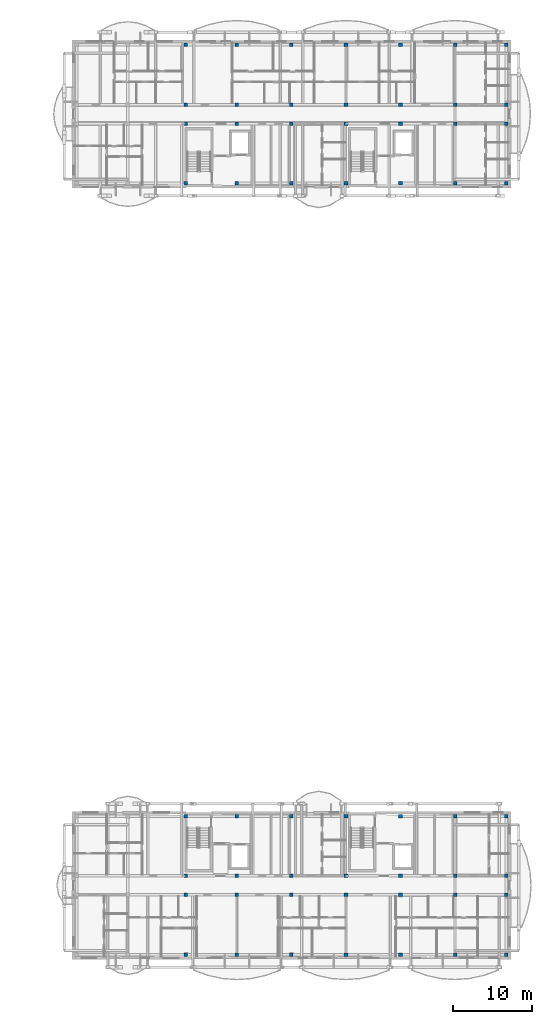
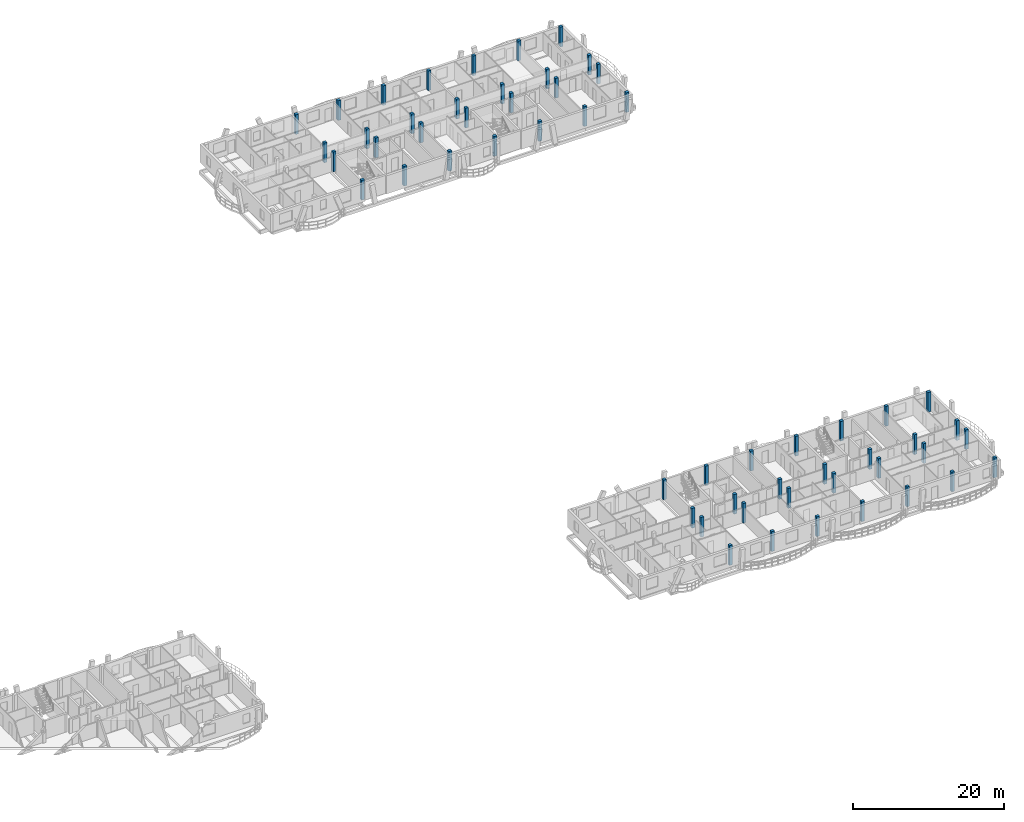
# One storey, part 3 of 52: 56 columns.
"""IFC4 building model written with IfcOpenShell, lengths in metres."""

from ifc_helpers import new_model, si_unit, direction, frame, origin, origin_2d, place, context, subcontext, project, spatial, rectangle, extrude, material, material_profile, profile_set, type_object, element, save


model = new_model("IFC4")

# Units and contexts
model_context = context("Model", 3, precision=1e-05, world=origin(), true_north=direction((0.0, 1.0)))
body_context = subcontext(model_context, "Body", "Model", "MODEL_VIEW")
ifc_project = project(units=[si_unit("LENGTHUNIT", "METRE"), si_unit("AREAUNIT", "SQUARE_METRE"), si_unit("VOLUMEUNIT", "CUBIC_METRE"), si_unit("PLANEANGLEUNIT", "RADIAN"), si_unit("MASSUNIT", "GRAM", prefix="KILO")], contexts=[model_context])

# Site, building, storey
site_placement = place(None, origin())
site = spatial("IfcSite", under=ifc_project, at=site_placement, CompositionType="ELEMENT")
building_placement = place(site_placement, origin())
building = spatial("IfcBuilding", under=site, at=building_placement, Name="Zavelmont Quarter", CompositionType="ELEMENT")
storey_placement = place(building_placement, frame((0.0, 0.0, 14.39990234375)))
storey = spatial("IfcBuildingStorey", under=building, at=storey_placement, Name="L04", CompositionType="ELEMENT", Elevation=14.39990234375)

# Columns
ifc_material = material(Name="Concrete C35/45", Category="concrete")
ifc_material_profile = material_profile(ifc_material, rectangle(XDim=0.449951171875, YDim=0.449951171875, at=origin_2d()), Name="RC450X450")
ifc_profile_set = profile_set([ifc_material_profile], Name="Concrete C35/45")
column_type = type_object("IfcColumnType", Name="CL04", PredefinedType="COLUMN", material=ifc_profile_set)
for number, where, z_axis, x_axis, name in (
    (1, (127.0400390625, 98.0400390625, 0.0), (0.0, 0.0, 1.0), (1.0, 0.0, 0.0), "L04 column CL04 at 19/P"),
    (2, (127.0400390625, 105.60009765625, 0.0), (0.0, 0.0, 1.0), (1.0, 0.0, 0.0), "L04 column CL04 at 19/Q"),
    (3, (127.0400390625, 108.0, 0.0), (0.0, 0.0, 1.0), (1.0, 0.0, 0.0), "L04 column CL04 at 19/R"),
    (4, (127.0400390625, 115.56005859375, 0.0), (0.0, 0.0, 1.0), (1.0, 0.0, 0.0), "L04 column CL04 at 19/S"),
    (5, (133.5, 98.0400390625, 0.0), (0.0, 0.0, 1.0), (1.0, 0.0, 0.0), "L04 column CL04 at 20/P"),
    (6, (133.5, 105.60009765625, 0.0), (0.0, 0.0, 1.0), (1.0, 0.0, 0.0), "L04 column CL04 at 20/Q"),
    (7, (133.5, 108.0, 0.0), (0.0, 0.0, 1.0), (1.0, 0.0, 0.0), "L04 column CL04 at 20/R"),
    (8, (133.5, 115.56005859375, 0.0), (0.0, 0.0, 1.0), (1.0, 0.0, 0.0), "L04 column CL04 at 20/S"),
    (9, (140.39990234375, 98.0400390625, 0.0), (0.0, 0.0, 1.0), (1.0, 0.0, 0.0), "L04 column CL04 at 21/P"),
    (10, (140.39990234375, 105.60009765625, 0.0), (0.0, 0.0, 1.0), (1.0, 0.0, 0.0), "L04 column CL04 at 21/Q"),
    (11, (140.39990234375, 108.0, 0.0), (0.0, 0.0, 1.0), (1.0, 0.0, 0.0), "L04 column CL04 at 21/R"),
    (12, (140.39990234375, 115.56005859375, 0.0), (0.0, 0.0, 1.0), (1.0, 0.0, 0.0), "L04 column CL04 at 21/S"),
    (13, (147.300048828125, 98.0400390625, 0.0), (0.0, 0.0, 1.0), (1.0, 0.0, 0.0), "L04 column CL04 at 22/P"),
    (14, (147.300048828125, 105.60009765625, 0.0), (0.0, 0.0, 1.0), (1.0, 0.0, 0.0), "L04 column CL04 at 22/Q"),
    (15, (147.300048828125, 108.0, 0.0), (0.0, 0.0, 1.0), (1.0, 0.0, 0.0), "L04 column CL04 at 22/R"),
    (16, (147.300048828125, 115.56005859375, 0.0), (0.0, 0.0, 1.0), (1.0, 0.0, 0.0), "L04 column CL04 at 22/S"),
    (17, (154.199951171875, 98.0400390625, 0.0), (0.0, 0.0, 1.0), (1.0, 0.0, 0.0), "L04 column CL04 at 23/P"),
    (18, (154.199951171875, 105.60009765625, 0.0), (0.0, 0.0, 1.0), (1.0, 0.0, 0.0), "L04 column CL04 at 23/Q"),
    (19, (154.199951171875, 108.0, 0.0), (0.0, 0.0, 1.0), (1.0, 0.0, 0.0), "L04 column CL04 at 23/R"),
    (20, (154.199951171875, 115.56005859375, 0.0), (0.0, 0.0, 1.0), (1.0, 0.0, 0.0), "L04 column CL04 at 23/S"),
    (21, (161.10009765625, 98.0400390625, 0.0), (0.0, 0.0, 1.0), (1.0, 0.0, 0.0), "L04 column CL04 at 24/P"),
    (22, (161.10009765625, 105.60009765625, 0.0), (0.0, 0.0, 1.0), (1.0, 0.0, 0.0), "L04 column CL04 at 24/Q"),
    (23, (161.10009765625, 108.0, 0.0), (0.0, 0.0, 1.0), (1.0, 0.0, 0.0), "L04 column CL04 at 24/R"),
    (24, (161.10009765625, 115.56005859375, 0.0), (0.0, 0.0, 1.0), (1.0, 0.0, 0.0), "L04 column CL04 at 24/S"),
    (25, (167.56005859375, 98.0400390625, 0.0), (0.0, 0.0, 1.0), (1.0, 0.0, 0.0), "L04 column CL04 at 25/P"),
    (26, (167.56005859375, 105.60009765625, 0.0), (0.0, 0.0, 1.0), (1.0, 0.0, 0.0), "L04 column CL04 at 25/Q"),
    (27, (167.56005859375, 108.0, 0.0), (0.0, 0.0, 1.0), (1.0, 0.0, 0.0), "L04 column CL04 at 25/R"),
    (28, (167.56005859375, 115.56005859375, 0.0), (0.0, 0.0, 1.0), (1.0, 0.0, 0.0), "L04 column CL04 at 25/S"),
    (29, (127.0400390625, 0.43994140625, 0.0), (0.0, 0.0, 1.0), (1.0, 0.0, 0.0), "L04 column CL04 at 19/A"),
    (30, (127.0400390625, 8.0, 0.0), (0.0, 0.0, 1.0), (1.0, 0.0, 0.0), "L04 column CL04 at 19/B"),
    (31, (127.0400390625, 10.39990234375, 0.0), (0.0, 0.0, 1.0), (1.0, 0.0, 0.0), "L04 column CL04 at 19/C"),
    (32, (127.0400390625, 17.9599609375, 0.0), (0.0, 0.0, 1.0), (1.0, 0.0, 0.0), "L04 column CL04 at 19/D"),
    (33, (133.5, 0.43994140625, 0.0), (0.0, 0.0, 1.0), (1.0, 0.0, 0.0), "L04 column CL04 at 20/A"),
    (34, (133.5, 8.0, 0.0), (0.0, 0.0, 1.0), (1.0, 0.0, 0.0), "L04 column CL04 at 20/B"),
    (35, (133.5, 10.39990234375, 0.0), (0.0, 0.0, 1.0), (1.0, 0.0, 0.0), "L04 column CL04 at 20/C"),
    (36, (133.5, 17.9599609375, 0.0), (0.0, 0.0, 1.0), (1.0, 0.0, 0.0), "L04 column CL04 at 20/D"),
    (37, (140.39990234375, 0.43994140625, 0.0), (0.0, 0.0, 1.0), (1.0, 0.0, 0.0), "L04 column CL04 at 21/A"),
    (38, (140.39990234375, 8.0, 0.0), (0.0, 0.0, 1.0), (1.0, 0.0, 0.0), "L04 column CL04 at 21/B"),
    (39, (140.39990234375, 10.39990234375, 0.0), (0.0, 0.0, 1.0), (1.0, 0.0, 0.0), "L04 column CL04 at 21/C"),
    (40, (140.39990234375, 17.9599609375, 0.0), (0.0, 0.0, 1.0), (1.0, 0.0, 0.0), "L04 column CL04 at 21/D"),
    (41, (147.300048828125, 0.43994140625, 0.0), (0.0, 0.0, 1.0), (1.0, 0.0, 0.0), "L04 column CL04 at 22/A"),
    (42, (147.300048828125, 8.0, 0.0), (0.0, 0.0, 1.0), (1.0, 0.0, 0.0), "L04 column CL04 at 22/B"),
    (43, (147.300048828125, 10.39990234375, 0.0), (0.0, 0.0, 1.0), (1.0, 0.0, 0.0), "L04 column CL04 at 22/C"),
    (44, (147.300048828125, 17.9599609375, 0.0), (0.0, 0.0, 1.0), (1.0, 0.0, 0.0), "L04 column CL04 at 22/D"),
    (45, (154.199951171875, 0.43994140625, 0.0), (0.0, 0.0, 1.0), (1.0, 0.0, 0.0), "L04 column CL04 at 23/A"),
    (46, (154.199951171875, 8.0, 0.0), (0.0, 0.0, 1.0), (1.0, 0.0, 0.0), "L04 column CL04 at 23/B"),
    (47, (154.199951171875, 10.39990234375, 0.0), (0.0, 0.0, 1.0), (1.0, 0.0, 0.0), "L04 column CL04 at 23/C"),
    (48, (154.199951171875, 17.9599609375, 0.0), (0.0, 0.0, 1.0), (1.0, 0.0, 0.0), "L04 column CL04 at 23/D"),
    (49, (161.10009765625, 0.43994140625, 0.0), (0.0, 0.0, 1.0), (1.0, 0.0, 0.0), "L04 column CL04 at 24/A"),
    (50, (161.10009765625, 8.0, 0.0), (0.0, 0.0, 1.0), (1.0, 0.0, 0.0), "L04 column CL04 at 24/B"),
    (51, (161.10009765625, 10.39990234375, 0.0), (0.0, 0.0, 1.0), (1.0, 0.0, 0.0), "L04 column CL04 at 24/C"),
    (52, (161.10009765625, 17.9599609375, 0.0), (0.0, 0.0, 1.0), (1.0, 0.0, 0.0), "L04 column CL04 at 24/D"),
    (53, (167.56005859375, 0.43994140625, 0.0), (0.0, 0.0, 1.0), (1.0, 0.0, 0.0), "L04 column CL04 at 25/A"),
    (54, (167.56005859375, 8.0, 0.0), (0.0, 0.0, 1.0), (1.0, 0.0, 0.0), "L04 column CL04 at 25/B"),
    (55, (167.56005859375, 10.39990234375, 0.0), (0.0, 0.0, 1.0), (1.0, 0.0, 0.0), "L04 column CL04 at 25/C"),
    (56, (167.56005859375, 17.9599609375, 0.0), (0.0, 0.0, 1.0), (1.0, 0.0, 0.0), "L04 column CL04 at 25/D"),
):
    element("IfcColumn", number, at=place(storey_placement, frame(where, z_axis=z_axis, x_axis=x_axis)), inside=storey, type_object=column_type, Name=name, PredefinedType="COLUMN", context=body_context, shape_type="SweptSolid", body=[
        extrude(rectangle(XDim=0.449951171875, YDim=0.449951171875, at=origin_2d()), origin(), (0.0, 0.0, 1.0), 3.2001953125),
    ])

save(model, "model.ifc")
